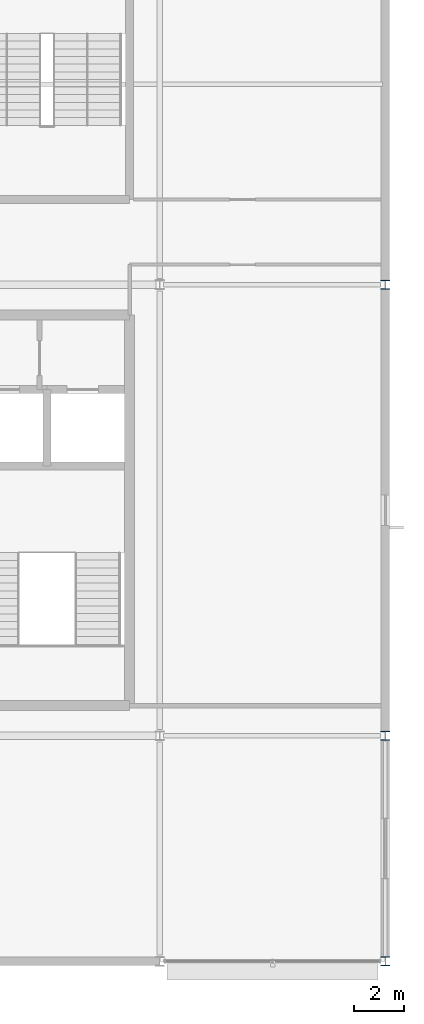
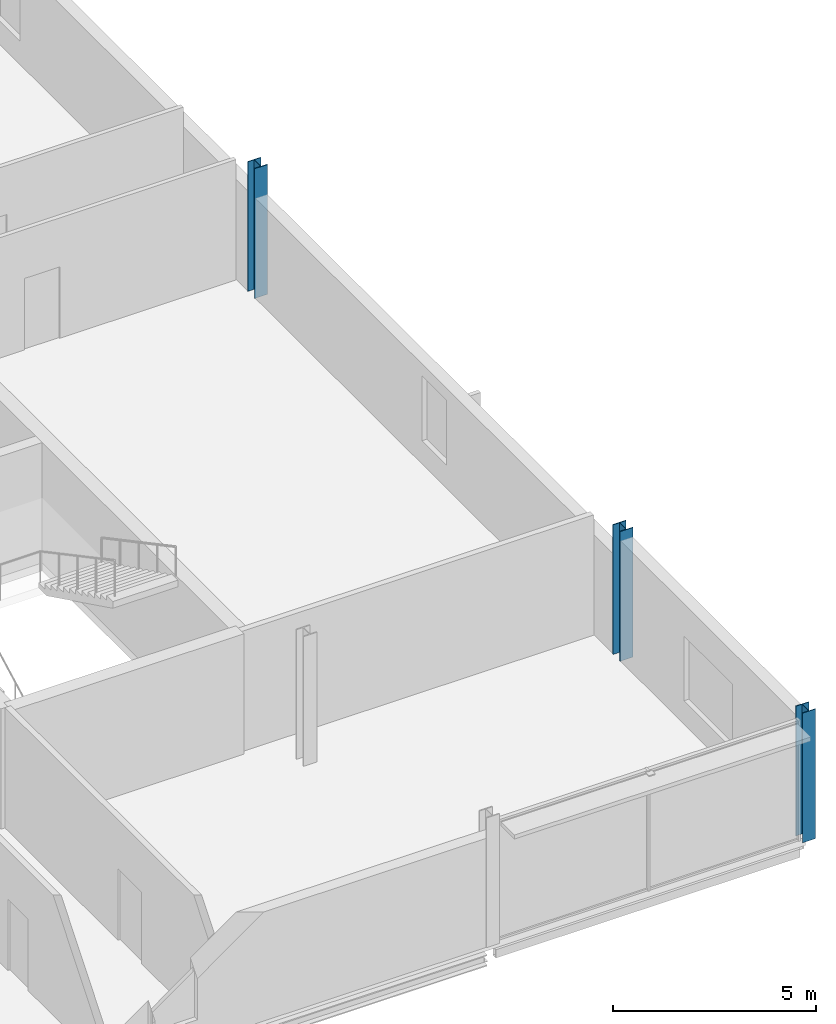
# One storey, part 12 of 98: 3 columns.
"""IFC4 building model written with IfcOpenShell, lengths in metres."""

from ifc_helpers import new_model, si_unit, direction, frame, origin, origin_2d, place, context, subcontext, project, spatial, i_section, extrude, material, material_profile, profile_set, type_object, element, save


model = new_model("IFC4")

# Units and contexts
model_context = context("Model", 3, precision=1e-05, world=origin(), true_north=direction((0.0, 1.0)))
body_context = subcontext(model_context, "Body", "Model", "MODEL_VIEW")
ifc_project = project(units=[si_unit("LENGTHUNIT", "METRE"), si_unit("AREAUNIT", "SQUARE_METRE"), si_unit("VOLUMEUNIT", "CUBIC_METRE"), si_unit("PLANEANGLEUNIT", "RADIAN"), si_unit("MASSUNIT", "GRAM", prefix="KILO")], contexts=[model_context])

# Site, building, storey
site_placement = place(None, origin())
site = spatial("IfcSite", under=ifc_project, at=site_placement, CompositionType="ELEMENT")
building_placement = place(site_placement, origin())
building = spatial("IfcBuilding", under=site, at=building_placement, Name="Kisiwana Market Hall", CompositionType="ELEMENT")
storey_placement = place(building_placement, frame((0.0, 0.0, 29.39990234375)))
storey = spatial("IfcBuildingStorey", under=building, at=storey_placement, Name="L06", CompositionType="ELEMENT", Elevation=29.39990234375)

# Columns
ifc_material = material(Name="Steel S355", Category="steel")
ifc_material_profile = material_profile(ifc_material, i_section(OverallWidth=0.37060546875, OverallDepth=0.362060546875, WebThickness=0.01220703125, FlangeThickness=0.020751953125, at=origin_2d()), Name="UC 356x368x153")
ifc_profile_set = profile_set([ifc_material_profile], Name="Steel S355")
column_type = type_object("IfcColumnType", Name="COL-STL-UC153", PredefinedType="COLUMN", material=ifc_profile_set)
for number, where, z_axis, x_axis, name in (
    (1, (198.0, 9.0, 0.0), (0.0, 0.0, 1.0), (1.0, 0.0, 0.0), "Column B/23 (L06) C-1059"),
    (2, (198.0, 18.0, 0.0), (0.0, 0.0, 1.0), (1.0, 0.0, 0.0), "Column C/23 (L06) C-1060"),
    (3, (198.0, 36.0, 0.0), (0.0, 0.0, 1.0), (1.0, 0.0, 0.0), "Column E/23 (L06) C-1061"),
):
    element("IfcColumn", number, at=place(storey_placement, frame(where, z_axis=z_axis, x_axis=x_axis)), inside=storey, type_object=column_type, Name=name, PredefinedType="COLUMN", context=body_context, shape_type="SweptSolid", body=[
        extrude(i_section(OverallWidth=0.37060546875, OverallDepth=0.362060546875, WebThickness=0.01220703125, FlangeThickness=0.020751953125, at=origin_2d()), origin(), (0.0, 0.0, 1.0), 3.900146484375),
    ])

save(model, "model.ifc")
